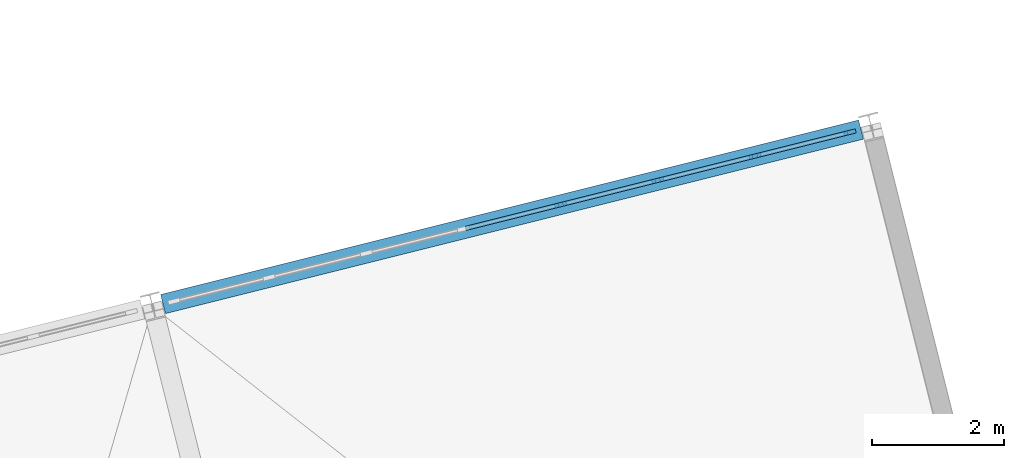
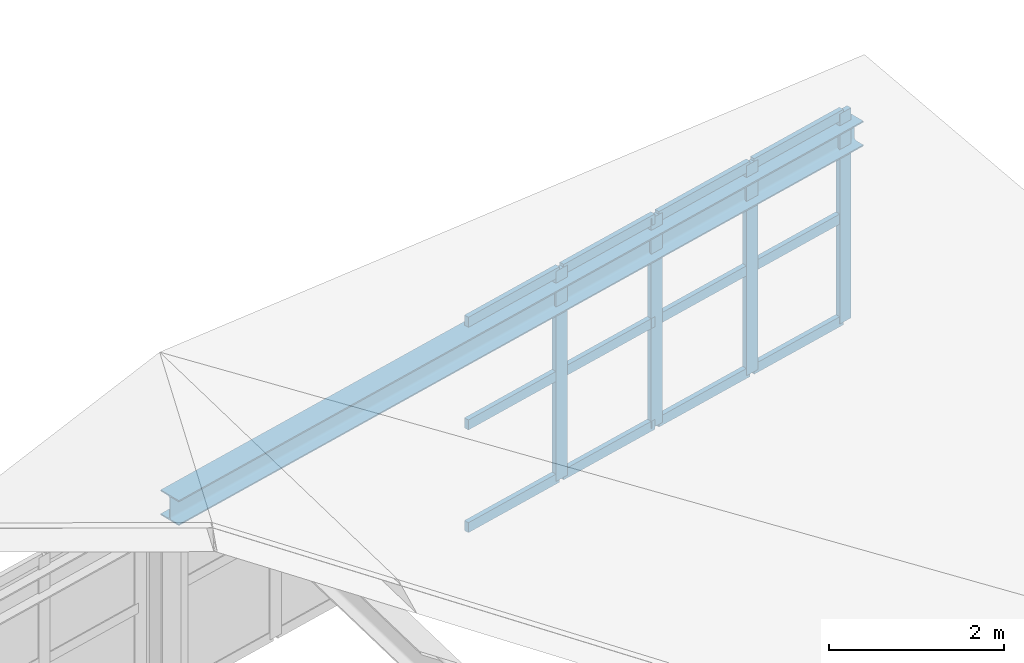
# One storey, part 17 of 47: 16 members, 1 beam, 1 element without a shape of its own.
"""IFC4 building model written with IfcOpenShell, lengths in metres."""

import ifcopenshell
import ifcopenshell.guid

model = None  # the IFC model being written
_history = None  # IfcOwnerHistory: only IFC2X3 demands one
_inside = {}  # id of a spatial element -> (the spatial element, [elements in it])
_under = {}  # id of a project, library or spatial element -> (it, [spatial elements below it])
_declared = {}  # id of a project -> (the project, [libraries it declares])
_typed = {}  # id of a type object -> (the type object, [elements of that type])
_made_of = {}  # id of a material, layer set ... -> (it, [elements and type objects made of it])


def new_model(schema):
    """Start an empty IFC model of exactly this schema.

    Asked for "IFC4X3", IfcOpenShell would pick the latest addendum, in which some entities
    have other attributes; the version numbers below select the first issue.
    IFC2X3 requires an IfcOwnerHistory on every rooted entity: one is made here for all.
    """
    global model, _history
    if schema == "IFC4X3":
        model = ifcopenshell.file(schema_version=(4, 3, 0, 0))
    else:
        model = ifcopenshell.file(schema=schema)
    _inside.clear()
    _under.clear()
    _declared.clear()
    _typed.clear()
    _made_of.clear()
    _history = None
    if model.schema == "IFC2X3":
        org = make("IfcOrganization", Name="unknown")
        user = make(
            "IfcPersonAndOrganization",
            ThePerson=make("IfcPerson", FamilyName="unknown"),
            TheOrganization=org,
        )
        app = make(
            "IfcApplication",
            ApplicationDeveloper=org,
            Version="unknown",
            ApplicationFullName="unknown",
            ApplicationIdentifier="unknown",
        )
        _history = make(
            "IfcOwnerHistory",
            OwningUser=user,
            OwningApplication=app,
            ChangeAction="ADDED",
            CreationDate=0,
        )
    return model


def make(cls, **values):
    """One entity of the class cls with the attributes given. An attribute that is None is left unset."""
    return model.create_entity(
        cls, **{name: value for name, value in values.items() if value is not None}
    )


def rooted(cls, **values):
    """An entity with a GlobalId (a new one), such as an element, a storey or a relation."""
    return make(cls, GlobalId=ifcopenshell.guid.new(), OwnerHistory=_history, **values)


def si_unit(unit_type, name, prefix=None):
    """IfcSIUnit, for example si_unit("LENGTHUNIT", "METRE", prefix="MILLI")."""
    return make("IfcSIUnit", UnitType=unit_type, Prefix=prefix, Name=name)


def assignment(units):
    """IfcUnitAssignment: the units of a project."""
    return None if units is None else make("IfcUnitAssignment", Units=units)


def point(xyz):
    """IfcCartesianPoint."""
    return None if xyz is None else make("IfcCartesianPoint", Coordinates=xyz)


def direction(xyz):
    """IfcDirection."""
    return None if xyz is None else make("IfcDirection", DirectionRatios=xyz)


def frame(location, z_axis=None, x_axis=None):
    """IfcAxis2Placement3D, a coordinate frame: its origin and axes. An axis left out is left unset."""
    return make(
        "IfcAxis2Placement3D",
        Location=point(location),
        Axis=direction(z_axis),
        RefDirection=direction(x_axis),
    )


def frame_2d(location, x_axis=None):
    """IfcAxis2Placement2D, a coordinate frame in the plane: its origin and x axis."""
    return make(
        "IfcAxis2Placement2D", Location=point(location), RefDirection=direction(x_axis)
    )


def origin():
    """The frame at (0, 0, 0) with its axes left unset."""
    return frame((0.0, 0.0, 0.0))


def origin_2d():
    """The frame at (0, 0) in the plane with its x axis left unset."""
    return frame_2d((0.0, 0.0))


def place(relative_to, where):
    """IfcLocalPlacement: puts the frame where relative to a parent placement (None: the world)."""
    return make(
        "IfcLocalPlacement", PlacementRelTo=relative_to, RelativePlacement=where
    )


def context(
    kind, dimensions, precision=None, world=None, true_north=None, identifier=None
):
    """IfcGeometricRepresentationContext, for example the 3D "Model" context."""
    return make(
        "IfcGeometricRepresentationContext",
        ContextIdentifier=identifier,
        ContextType=kind,
        CoordinateSpaceDimension=dimensions,
        Precision=precision,
        WorldCoordinateSystem=world,
        TrueNorth=true_north,
    )


def subcontext(parent, identifier, kind, view, scale=None):
    """IfcGeometricRepresentationSubContext, for example "Body" below "Model"."""
    return make(
        "IfcGeometricRepresentationSubContext",
        ContextIdentifier=identifier,
        ContextType=kind,
        ParentContext=parent,
        TargetScale=scale,
        TargetView=view,
    )


def project(units=None, contexts=None):
    """IfcProject with its units and contexts."""
    return rooted(
        "IfcProject",
        Name="project",
        RepresentationContexts=contexts,
        UnitsInContext=assignment(units),
    )


def spatial(cls, under=None, at=None, **own):
    """A site, building, storey or space (cls), placed at a placement, below another one or the project."""
    s = rooted(cls, ObjectPlacement=at, **own)
    if under is not None:
        _under.setdefault(under.id(), (under, []))[1].append(s)
    return s


def profile(cls, at=None, kind="AREA", **sizes):
    """A parametric profile (cls). Its sizes go by their IFC names, for example OverallWidth=200.0."""
    return make(cls, ProfileType=kind, Position=at, **sizes)


def rectangle(**sizes):
    """IfcRectangleProfileDef."""
    return profile("IfcRectangleProfileDef", **sizes)


def i_section(**sizes):
    """IfcIShapeProfileDef."""
    return profile("IfcIShapeProfileDef", **sizes)


def extrude(swept, where, along, depth):
    """IfcExtrudedAreaSolid: the profile swept, set in the frame where, extruded along a direction by depth."""
    return make(
        "IfcExtrudedAreaSolid",
        SweptArea=swept,
        Position=where,
        ExtrudedDirection=direction(along),
        Depth=depth,
    )


def shape(context_of_items, identifier, shape_type, items):
    """IfcShapeRepresentation: the items that make up one representation, for example the "Body"."""
    return make(
        "IfcShapeRepresentation",
        ContextOfItems=context_of_items,
        RepresentationIdentifier=identifier,
        RepresentationType=shape_type,
        Items=items,
    )


def material(Name=None, Category=None):
    """IfcMaterial."""
    return make("IfcMaterial", Name=Name, Category=Category)


def layer(
    of_material, thickness, ventilated=None, Name=None, Category=None, Priority=None
):
    """IfcMaterialLayer: one layer of a wall or slab, of a material (None: an air gap)."""
    return make(
        "IfcMaterialLayer",
        Material=of_material,
        LayerThickness=thickness,
        IsVentilated=ventilated,
        Name=Name,
        Category=Category,
        Priority=Priority,
    )


def layer_set(layers, Name=None):
    """IfcMaterialLayerSet."""
    return make("IfcMaterialLayerSet", MaterialLayers=layers, LayerSetName=Name)


def material_profile(
    of_material, cross_section, Name=None, Category=None, Priority=None
):
    """IfcMaterialProfile: a cross section and its material."""
    return make(
        "IfcMaterialProfile",
        Name=Name,
        Material=of_material,
        Profile=cross_section,
        Priority=Priority,
        Category=Category,
    )


def profile_set(profiles, Name=None, composite=None):
    """IfcMaterialProfileSet."""
    return make(
        "IfcMaterialProfileSet",
        Name=Name,
        MaterialProfiles=profiles,
        CompositeProfile=composite,
    )


def made_of(thing, what):
    """Note that an element or type object is made of a material, layer set ...; save() writes the relation."""
    if what is not None:
        _made_of.setdefault(what.id(), (what, []))[1].append(thing)
    return thing


def type_object(cls, material=None, **own):
    """A type object (cls), such as IfcWallType, which elements share."""
    return made_of(rooted(cls, **own), material)


def element(
    cls,
    number,
    at=None,
    inside=None,
    cuts=None,
    type_object=None,
    material=None,
    context=None,
    identifier="Body",
    shape_type=None,
    held_by="IfcProductDefinitionShape",
    body=None,
    shapes=None,
    **own,
):
    """One element of the class cls, such as IfcWall. Its Tag is "e" and its number.

    at: its placement. inside: the storey or other place that contains it. cuts: it is an
    opening in that element (IfcRelVoidsElement). A single representation is given by context,
    identifier, shape_type and body (its items); several are given by shapes. held_by: the class
    of the entity that holds the representations. save() writes the other relations.
    """
    e = rooted(cls, Tag="e%d" % number, ObjectPlacement=at, **own)
    if body is not None:
        shapes = [shape(context, identifier, shape_type, body)]
    if shapes is not None:
        e.Representation = make(held_by, Representations=shapes)
    if inside is not None:
        _inside.setdefault(inside.id(), (inside, []))[1].append(e)
    if cuts is not None:
        rooted(
            "IfcRelVoidsElement", RelatingBuildingElement=cuts, RelatedOpeningElement=e
        )
    if type_object is not None:
        _typed.setdefault(type_object.id(), (type_object, []))[1].append(e)
    return made_of(e, material)


def aggregate(whole, parts):
    """IfcRelAggregates: a whole, such as a stair, and the parts it consists of."""
    return rooted("IfcRelAggregates", RelatingObject=whole, RelatedObjects=parts)


def save(model, path):
    """Write the relations noted so far, then the file.

    IfcRelAggregates (storeys below a building ...), IfcRelContainedInSpatialStructure (elements
    in a storey), IfcRelDefinesByType, IfcRelAssociatesMaterial and IfcRelDeclares: one each for
    every whole, place, type object, material and project.
    """
    for whole, parts in _under.values():
        aggregate(whole, parts)
    for where, things in _inside.values():
        rooted(
            "IfcRelContainedInSpatialStructure",
            RelatedElements=things,
            RelatingStructure=where,
        )
    for kind, things in _typed.values():
        rooted("IfcRelDefinesByType", RelatedObjects=things, RelatingType=kind)
    for what, things in _made_of.values():
        rooted("IfcRelAssociatesMaterial", RelatedObjects=things, RelatingMaterial=what)
    for by, libraries in _declared.values():
        rooted("IfcRelDeclares", RelatingContext=by, RelatedDefinitions=libraries)
    model.write(path)


model = new_model("IFC4")

# Units and contexts
model_context = context("Model", 3, precision=1e-05, world=origin(), true_north=direction((0.0, 1.0)))
body_context = subcontext(model_context, "Body", "Model", "MODEL_VIEW")
ifc_project = project(units=[si_unit("LENGTHUNIT", "METRE"), si_unit("AREAUNIT", "SQUARE_METRE"), si_unit("VOLUMEUNIT", "CUBIC_METRE"), si_unit("PLANEANGLEUNIT", "RADIAN"), si_unit("MASSUNIT", "GRAM", prefix="KILO")], contexts=[model_context])

# Site, building, storey
site_placement = place(None, origin())
site = spatial("IfcSite", under=ifc_project, at=site_placement, CompositionType="ELEMENT")
building_placement = place(site_placement, origin())
building = spatial("IfcBuilding", under=site, at=building_placement, Name="Nordkorset Police Headquarters", CompositionType="ELEMENT")
storey_placement = place(building_placement, frame((0.0, 0.0, 22.050048828125)))
storey = spatial("IfcBuildingStorey", under=building, at=storey_placement, Name="L05", CompositionType="ELEMENT", Elevation=22.050048828125)

# Curtain wall, members
ifc_material_1 = material(Name="Aluminium alloy AW-6060", Category="aluminium")
ifc_layer = layer(ifc_material_1, 0.179931640625, Name="Aluminium alloy AW-6060")
ifc_layer_set = layer_set([ifc_layer], Name="Aluminium alloy AW-6060")
curtain_wall_type = type_object("IfcCurtainWallType", Name="CW_Unit_1060x293", PredefinedType="USERDEFINED", material=ifc_layer_set)
curtain_wall_placement = place(storey_placement, origin())
curtain_wall = element("IfcCurtainWall", 1, at=curtain_wall_placement, inside=storey, type_object=curtain_wall_type, Name="Unitised Curtain Wall L05 V4CLER-3", ObjectType="UNITISED CURTAIN WALL", PredefinedType="USERDEFINED")
ifc_material_2 = material(Name="Aluminium alloy AW-6060", Category="aluminium")
ifc_material_profile_1 = material_profile(ifc_material_2, rectangle(XDim=0.06494140625, YDim=0.179931640625, at=origin_2d()), Name="ALU MULL 65x180")
ifc_profile_set_1 = profile_set([ifc_material_profile_1], Name="Aluminium alloy AW-6060")
member_type_1 = type_object("IfcMemberType", Name="CW_Mullion_65x180", PredefinedType="MULLION", material=ifc_profile_set_1)
member_1_placement = place(storey_placement, frame((54.21484375, 64.496826171875, 0.0), z_axis=(0.0, 0.0, 1.0), x_axis=(-0.242535847018, 0.97014244465, 0.0)))
member_1 = element("IfcMember", 2, at=member_1_placement, type_object=member_type_1, Name="CW-48 mullion 5", PredefinedType="MULLION", context=body_context, shape_type="SweptSolid", body=[
    extrude(rectangle(XDim=0.06494140625, YDim=0.179931640625, at=origin_2d()), origin(), (0.0, 0.0, 1.0), 2.929931640625),
])
member_2_placement = place(storey_placement, frame((55.68408203125, 64.8642578125, 0.0), z_axis=(0.0, 0.0, 1.0), x_axis=(-0.242535847018, 0.97014244465, 0.0)))
member_2 = element("IfcMember", 3, at=member_2_placement, type_object=member_type_1, Name="CW-48 mullion 6", PredefinedType="MULLION", context=body_context, shape_type="SweptSolid", body=[
    extrude(rectangle(XDim=0.06494140625, YDim=0.179931640625, at=origin_2d()), origin(), (0.0, 0.0, 1.0), 2.929931640625),
])
member_3_placement = place(storey_placement, frame((57.153076171875, 65.2314453125, 0.0), z_axis=(0.0, 0.0, 1.0), x_axis=(-0.242535847018, 0.97014244465, 0.0)))
member_3 = element("IfcMember", 4, at=member_3_placement, type_object=member_type_1, Name="CW-48 mullion 7", PredefinedType="MULLION", context=body_context, shape_type="SweptSolid", body=[
    extrude(rectangle(XDim=0.06494140625, YDim=0.179931640625, at=origin_2d()), origin(), (0.0, 0.0, 1.0), 2.929931640625),
])
member_4_placement = place(storey_placement, frame((58.590576171875, 65.5908203125, 0.0), z_axis=(0.0, 0.0, 1.0), x_axis=(-0.242535847018, 0.97014244465, 0.0)))
member_4 = element("IfcMember", 5, at=member_4_placement, type_object=member_type_1, Name="CW-48 mullion 8", PredefinedType="MULLION", context=body_context, shape_type="SweptSolid", body=[
    extrude(rectangle(XDim=0.06494140625, YDim=0.179931640625, at=origin_2d()), origin(), (0.0, 0.0, 1.0), 2.929931640625),
])
ifc_material_3 = material(Name="Aluminium alloy AW-6060", Category="aluminium")
ifc_material_profile_2 = material_profile(ifc_material_3, rectangle(XDim=0.06494140625, YDim=0.139892578125, at=origin_2d()), Name="ALU TRAN 65x140")
ifc_profile_set_2 = profile_set([ifc_material_profile_2], Name="Aluminium alloy AW-6060")
member_type_2 = type_object("IfcMemberType", Name="CW_Transom_65x140", PredefinedType="USERDEFINED", material=ifc_profile_set_2)
member_5_placement = place(storey_placement, frame((52.77734375, 64.137451171875, 0.032470703125), z_axis=(0.970132590215, 0.242575261315, 0.0), x_axis=(-0.242575261315, 0.970132590215, 0.0)))
member_5 = element("IfcMember", 6, at=member_5_placement, type_object=member_type_2, Name="CW-48 transom 4.1", ObjectType="TRANSOM", PredefinedType="USERDEFINED", context=body_context, shape_type="SweptSolid", body=[
    extrude(rectangle(XDim=0.06494140625, YDim=0.139892578125, at=origin_2d()), origin(), (0.0, 0.0, 1.0), 1.44921875),
])
member_6_placement = place(storey_placement, frame((52.77734375, 64.137451171875, 1.46484375), z_axis=(0.970132590215, 0.242575261315, 0.0), x_axis=(-0.242575261315, 0.970132590215, 0.0)))
member_6 = element("IfcMember", 7, at=member_6_placement, type_object=member_type_2, Name="CW-48 transom 4.2", ObjectType="TRANSOM", PredefinedType="USERDEFINED", context=body_context, shape_type="SweptSolid", body=[
    extrude(rectangle(XDim=0.06494140625, YDim=0.139892578125, at=origin_2d()), origin(), (0.0, 0.0, 1.0), 1.44921875),
])
member_7_placement = place(storey_placement, frame((52.77734375, 64.137451171875, 2.8974609375), z_axis=(0.970132590215, 0.242575261315, 0.0), x_axis=(-0.242575261315, 0.970132590215, 0.0)))
member_7 = element("IfcMember", 8, at=member_7_placement, type_object=member_type_2, Name="CW-48 transom 4.3", ObjectType="TRANSOM", PredefinedType="USERDEFINED", context=body_context, shape_type="SweptSolid", body=[
    extrude(rectangle(XDim=0.06494140625, YDim=0.139892578125, at=origin_2d()), origin(), (0.0, 0.0, 1.0), 1.44921875),
])
member_8_placement = place(storey_placement, frame((54.246337890625, 64.5048828125, 0.032470703125), z_axis=(0.970172221432, 0.242416708915, 0.0), x_axis=(-0.242416708915, 0.970172221432, 0.0)))
member_8 = element("IfcMember", 9, at=member_8_placement, type_object=member_type_2, Name="CW-48 transom 5.1", ObjectType="TRANSOM", PredefinedType="USERDEFINED", context=body_context, shape_type="SweptSolid", body=[
    extrude(rectangle(XDim=0.06494140625, YDim=0.139892578125, at=origin_2d()), origin(), (0.0, 0.0, 1.0), 1.44921875),
])
member_9_placement = place(storey_placement, frame((54.246337890625, 64.5048828125, 1.46484375), z_axis=(0.970172221432, 0.242416708915, 0.0), x_axis=(-0.242416708915, 0.970172221432, 0.0)))
member_9 = element("IfcMember", 10, at=member_9_placement, type_object=member_type_2, Name="CW-48 transom 5.2", ObjectType="TRANSOM", PredefinedType="USERDEFINED", context=body_context, shape_type="SweptSolid", body=[
    extrude(rectangle(XDim=0.06494140625, YDim=0.139892578125, at=origin_2d()), origin(), (0.0, 0.0, 1.0), 1.44921875),
])
member_10_placement = place(storey_placement, frame((54.246337890625, 64.5048828125, 2.8974609375), z_axis=(0.970172221432, 0.242416708915, 0.0), x_axis=(-0.242416708915, 0.970172221432, 0.0)))
member_10 = element("IfcMember", 11, at=member_10_placement, type_object=member_type_2, Name="CW-48 transom 5.3", ObjectType="TRANSOM", PredefinedType="USERDEFINED", context=body_context, shape_type="SweptSolid", body=[
    extrude(rectangle(XDim=0.06494140625, YDim=0.139892578125, at=origin_2d()), origin(), (0.0, 0.0, 1.0), 1.44921875),
])
member_11_placement = place(storey_placement, frame((55.715576171875, 64.8720703125, 0.032470703125), z_axis=(0.970132590215, 0.242575261315, 0.0), x_axis=(-0.242575261315, 0.970132590215, 0.0)))
member_11 = element("IfcMember", 12, at=member_11_placement, type_object=member_type_2, Name="CW-48 transom 6.1", ObjectType="TRANSOM", PredefinedType="USERDEFINED", context=body_context, shape_type="SweptSolid", body=[
    extrude(rectangle(XDim=0.06494140625, YDim=0.139892578125, at=origin_2d()), origin(), (0.0, 0.0, 1.0), 1.44921875),
])
member_12_placement = place(storey_placement, frame((55.715576171875, 64.8720703125, 1.46484375), z_axis=(0.970132590215, 0.242575261315, 0.0), x_axis=(-0.242575261315, 0.970132590215, 0.0)))
member_12 = element("IfcMember", 13, at=member_12_placement, type_object=member_type_2, Name="CW-48 transom 6.2", ObjectType="TRANSOM", PredefinedType="USERDEFINED", context=body_context, shape_type="SweptSolid", body=[
    extrude(rectangle(XDim=0.06494140625, YDim=0.139892578125, at=origin_2d()), origin(), (0.0, 0.0, 1.0), 1.44921875),
])
member_13_placement = place(storey_placement, frame((55.715576171875, 64.8720703125, 2.8974609375), z_axis=(0.970132590215, 0.242575261315, 0.0), x_axis=(-0.242575261315, 0.970132590215, 0.0)))
member_13 = element("IfcMember", 14, at=member_13_placement, type_object=member_type_2, Name="CW-48 transom 6.3", ObjectType="TRANSOM", PredefinedType="USERDEFINED", context=body_context, shape_type="SweptSolid", body=[
    extrude(rectangle(XDim=0.06494140625, YDim=0.139892578125, at=origin_2d()), origin(), (0.0, 0.0, 1.0), 1.44921875),
])
member_14_placement = place(storey_placement, frame((57.1845703125, 65.2392578125, 0.032470703125), z_axis=(0.970122224638, 0.242616712663, 0.0), x_axis=(-0.242616712663, 0.970122224638, 0.0)))
member_14 = element("IfcMember", 15, at=member_14_placement, type_object=member_type_2, Name="CW-48 transom 7.1", ObjectType="TRANSOM", PredefinedType="USERDEFINED", context=body_context, shape_type="SweptSolid", body=[
    extrude(rectangle(XDim=0.06494140625, YDim=0.139892578125, at=origin_2d()), origin(), (0.0, 0.0, 1.0), 1.416748046875),
])
member_15_placement = place(storey_placement, frame((57.1845703125, 65.2392578125, 1.46484375), z_axis=(0.970122224638, 0.242616712663, 0.0), x_axis=(-0.242616712663, 0.970122224638, 0.0)))
member_15 = element("IfcMember", 16, at=member_15_placement, type_object=member_type_2, Name="CW-48 transom 7.2", ObjectType="TRANSOM", PredefinedType="USERDEFINED", context=body_context, shape_type="SweptSolid", body=[
    extrude(rectangle(XDim=0.06494140625, YDim=0.139892578125, at=origin_2d()), origin(), (0.0, 0.0, 1.0), 1.416748046875),
])
member_16_placement = place(storey_placement, frame((57.1845703125, 65.2392578125, 2.8974609375), z_axis=(0.970122224638, 0.242616712663, 0.0), x_axis=(-0.242616712663, 0.970122224638, 0.0)))
member_16 = element("IfcMember", 17, at=member_16_placement, type_object=member_type_2, Name="CW-48 transom 7.3", ObjectType="TRANSOM", PredefinedType="USERDEFINED", context=body_context, shape_type="SweptSolid", body=[
    extrude(rectangle(XDim=0.06494140625, YDim=0.139892578125, at=origin_2d()), origin(), (0.0, 0.0, 1.0), 1.416748046875),
])
aggregate(curtain_wall, [member_1, member_2, member_3, member_4, member_5, member_6, member_7, member_8, member_9, member_10, member_11, member_12, member_13, member_14, member_15, member_16])

# Beam
ifc_material_4 = material(Name="Steel S355J2", Category="steel")
ifc_material_profile_3 = material_profile(ifc_material_4, i_section(OverallWidth=0.300048828125, OverallDepth=0.35009765625, WebThickness=0.010009765625, FlangeThickness=0.017578125, FilletRadius=0.027099609375, at=origin_2d()), Name="HEA 360")
ifc_profile_set_3 = profile_set([ifc_material_profile_3], Name="Steel S355J2")
beam_type = type_object("IfcBeamType", Name="Girder_HEA_360", PredefinedType="USERDEFINED", material=ifc_profile_set_3)
beam_placement = place(storey_placement, frame((48.202880859375, 62.993896484375, 2.58984375), z_axis=(0.970145140018, 0.242525065303, 0.0), x_axis=(-0.242525065303, 0.970145140018, 0.0)))
element("IfcBeam", 18, at=beam_placement, inside=storey, type_object=beam_type, Name="Splayed Wing Clerestory Roof Tie Girder 4", ObjectType="GIRDER", PredefinedType="USERDEFINED", context=body_context, shape_type="SweptSolid", body=[
    extrude(i_section(OverallWidth=0.300048828125, OverallDepth=0.35009765625, WebThickness=0.010009765625, FlangeThickness=0.017578125, FilletRadius=0.027099609375, at=origin_2d()), origin(), (0.0, 0.0, 1.0), 10.8798828125),
])

save(model, "model.ifc")
